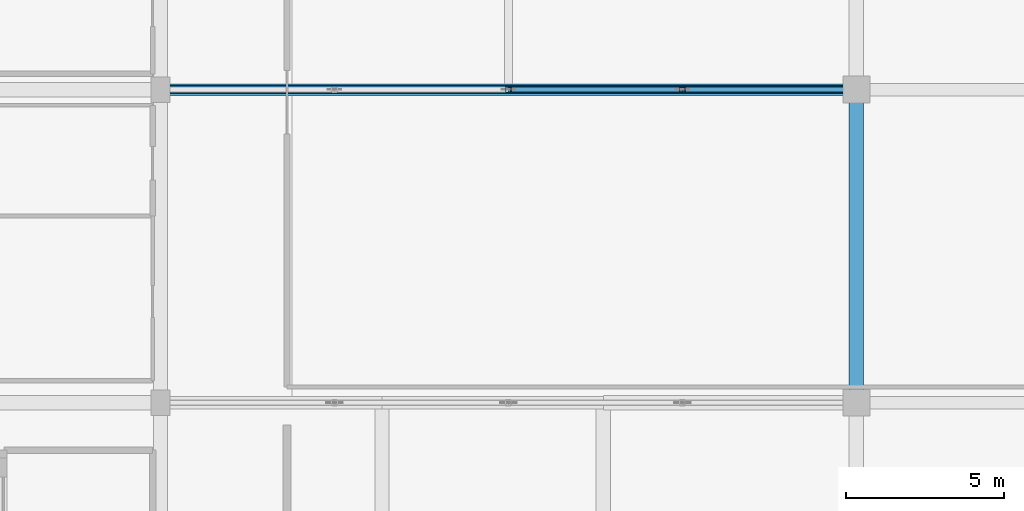
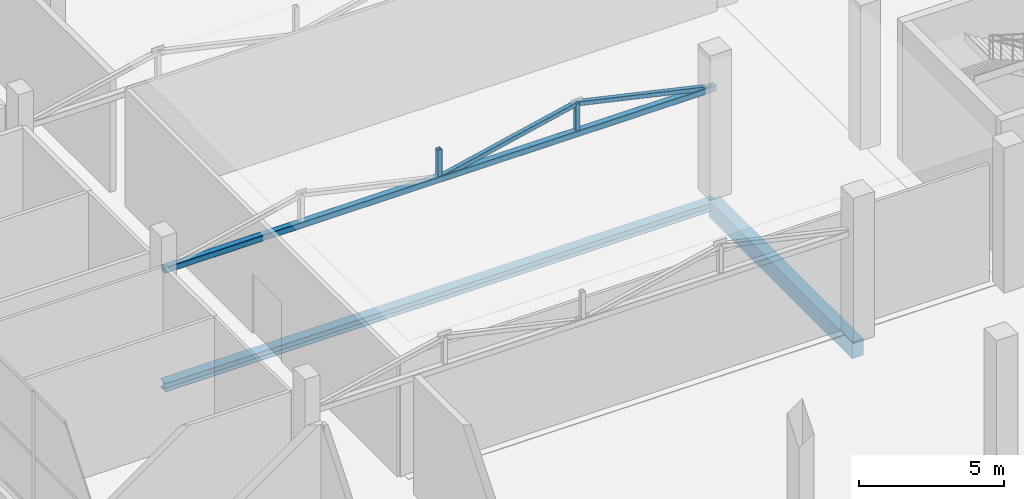
# One storey, part 8 of 46: 5 members, 2 beams.
"""IFC4 building model written with IfcOpenShell, lengths in metres."""

from ifc_helpers import new_model, si_unit, direction, frame, origin, origin_2d, place, context, subcontext, project, spatial, rectangle, hollow_rectangle, i_section, extrude, material, material_profile, profile_set, type_object, element, save


model = new_model("IFC4")

# Units and contexts
model_context = context("Model", 3, precision=1e-05, world=origin(), true_north=direction((0.0, 1.0)))
body_context = subcontext(model_context, "Body", "Model", "MODEL_VIEW")
ifc_project = project(units=[si_unit("LENGTHUNIT", "METRE"), si_unit("AREAUNIT", "SQUARE_METRE"), si_unit("VOLUMEUNIT", "CUBIC_METRE"), si_unit("PLANEANGLEUNIT", "RADIAN"), si_unit("MASSUNIT", "GRAM", prefix="KILO")], contexts=[model_context])

# Site, building, storey
site_placement = place(None, origin())
site = spatial("IfcSite", under=ifc_project, at=site_placement, CompositionType="ELEMENT")
building_placement = place(site_placement, origin())
building = spatial("IfcBuilding", under=site, at=building_placement, Name="Sillaruma Civic Art Gallery", CompositionType="ELEMENT")
storey_placement = place(building_placement, frame((0.0, 0.0, 16.320068359375)))
storey = spatial("IfcBuildingStorey", under=building, at=storey_placement, Name="L03", CompositionType="ELEMENT", Elevation=16.320068359375)

# Beams
ifc_material_1 = material(Name="Concrete H35 (35 MPa)", Category="concrete")
ifc_material_profile_1 = material_profile(ifc_material_1, rectangle(XDim=0.449951171875, YDim=0.699951171875, at=origin_2d()), Name="RCB450x700")
ifc_profile_set_1 = profile_set([ifc_material_profile_1], Name="Concrete H35 (35 MPa)")
beam_type_1 = type_object("IfcBeamType", Name="BM-SPANDREL-RCB450x700", PredefinedType="SPANDREL", material=ifc_profile_set_1)
beam_1_placement = place(storey_placement, frame((92.0, 49.5, -0.630126953125), z_axis=(0.0, 1.0, 0.0), x_axis=(-1.0, 0.0, 0.0)))
element("IfcBeam", 1, at=beam_1_placement, inside=storey, type_object=beam_type_1, Name="Beam BS-03 (L02:K:6-7)", PredefinedType="SPANDREL", context=body_context, shape_type="SweptSolid", body=[
    extrude(rectangle(XDim=0.449951171875, YDim=0.699951171875, at=origin_2d()), origin(), (0.0, 0.0, 1.0), 9.89990234375),
])
ifc_material_2 = material(Name="Structural Steel ASTM A992 Gr.50", Category="steel")
ifc_material_profile_2 = material_profile(ifc_material_2, i_section(OverallWidth=0.37109375, OverallDepth=0.364013671875, WebThickness=0.01318359375, FlangeThickness=0.021728515625, FilletRadius=0.014892578125, at=origin_2d()), Name="W360x162")
ifc_profile_set_2 = profile_set([ifc_material_profile_2], Name="Structural Steel ASTM A992 Gr.50")
beam_type_2 = type_object("IfcBeamType", Name="BM-TRTOP-W360x162", PredefinedType="BEAM", material=ifc_profile_set_2)
beam_2_placement = place(storey_placement, frame((70.0, 59.39990234375, -0.462158203125), z_axis=(1.0, 0.0, 0.0), x_axis=(0.0, 1.0, 0.0)))
element("IfcBeam", 2, at=beam_2_placement, inside=storey, type_object=beam_type_2, Name="Warren Truss Top Chord TR-L02-1", PredefinedType="BEAM", context=body_context, shape_type="SweptSolid", body=[
    extrude(i_section(OverallWidth=0.37109375, OverallDepth=0.364013671875, WebThickness=0.01318359375, FlangeThickness=0.021728515625, FilletRadius=0.014892578125, at=origin_2d()), origin(), (0.0, 0.0, 1.0), 22.0),
])

# Members
ifc_material_3 = material(Name="Structural Steel ASTM A500 Gr.C", Category="steel")
ifc_material_profile_3 = material_profile(ifc_material_3, hollow_rectangle(XDim=0.179931640625, YDim=0.179931640625, WallThickness=0.010009765625, InnerFilletRadius=0.010009765625, OuterFilletRadius=0.02001953125, at=origin_2d()), Name="HSS180x180x10")
ifc_profile_set_3 = profile_set([ifc_material_profile_3], Name="Structural Steel ASTM A500 Gr.C")
member_type_1 = type_object("IfcMemberType", Name="MEM-BRACE-HSS180x180x10", PredefinedType="BRACE", material=ifc_profile_set_3)
for number, where, z_axis, x_axis, name in (
    (3, (81.0, 59.39990234375, 4.434814453125), (0.975552224414, 0.0, 0.219767735214), (0.0, 1.0, 0.0), "Warren Truss Diagonal TR-L03-2-D3"),
    (4, (86.5, 59.39990234375, 5.673828125), (0.975552224414, 0.0, -0.219767735214), (0.0, 1.0, 0.0), "Warren Truss Diagonal TR-L03-2-D4"),
):
    element("IfcMember", number, at=place(storey_placement, frame(where, z_axis=z_axis, x_axis=x_axis)), inside=storey, type_object=member_type_1, Name=name, PredefinedType="BRACE", context=body_context, shape_type="SweptSolid", body=[
        extrude(hollow_rectangle(XDim=0.179931640625, YDim=0.179931640625, WallThickness=0.010009765625, InnerFilletRadius=0.010009765625, OuterFilletRadius=0.02001953125, at=origin_2d()), origin(), (0.0, 0.0, 1.0), 5.637939453125),
    ])
ifc_material_profile_4 = material_profile(ifc_material_3, hollow_rectangle(XDim=0.25, YDim=0.25, WallThickness=0.012451171875, InnerFilletRadius=0.012451171875, OuterFilletRadius=0.02490234375, at=origin_2d()), Name="HSS250x250x12.5")
ifc_profile_set_4 = profile_set([ifc_material_profile_4], Name="Structural Steel ASTM A500 Gr.C")
member_type_2 = type_object("IfcMemberType", Name="MEM-CHORD-HSS250x250x12.5", PredefinedType="CHORD", material=ifc_profile_set_4)
member_placement = place(storey_placement, frame((70.0, 59.39990234375, 4.434814453125), z_axis=(1.0, 0.0, 0.0), x_axis=(0.0, 1.0, 0.0)))
element("IfcMember", 5, at=member_placement, inside=storey, type_object=member_type_2, Name="Warren Truss Bottom Chord TR-L03-2", PredefinedType="CHORD", context=body_context, shape_type="SweptSolid", body=[
    extrude(hollow_rectangle(XDim=0.25, YDim=0.25, WallThickness=0.012451171875, InnerFilletRadius=0.012451171875, OuterFilletRadius=0.02490234375, at=origin_2d()), origin(), (0.0, 0.0, 1.0), 22.0),
])
ifc_material_profile_5 = material_profile(ifc_material_3, hollow_rectangle(XDim=0.179931640625, YDim=0.179931640625, WallThickness=0.010009765625, InnerFilletRadius=0.010009765625, OuterFilletRadius=0.02001953125, at=origin_2d()), Name="HSS180x180x10")
ifc_profile_set_5 = profile_set([ifc_material_profile_5], Name="Structural Steel ASTM A500 Gr.C")
member_type_3 = type_object("IfcMemberType", Name="MEM-POST-HSS180x180x10", PredefinedType="POST", material=ifc_profile_set_5)
for number, where, z_axis, x_axis, name in (
    (6, (81.0, 59.39990234375, 4.434814453125), (0.0, 0.0, 1.0), (1.0, 0.0, 0.0), "Warren Truss Vertical Post TR-L03-2-V2"),
    (7, (86.5, 59.39990234375, 4.434814453125), (0.0, 0.0, 1.0), (1.0, 0.0, 0.0), "Warren Truss Vertical Post TR-L03-2-V3"),
):
    element("IfcMember", number, at=place(storey_placement, frame(where, z_axis=z_axis, x_axis=x_axis)), inside=storey, type_object=member_type_3, Name=name, PredefinedType="POST", context=body_context, shape_type="SweptSolid", body=[
        extrude(hollow_rectangle(XDim=0.179931640625, YDim=0.179931640625, WallThickness=0.010009765625, InnerFilletRadius=0.010009765625, OuterFilletRadius=0.02001953125, at=origin_2d()), origin(), (0.0, 0.0, 1.0), 1.239013671875),
    ])

save(model, "model.ifc")
